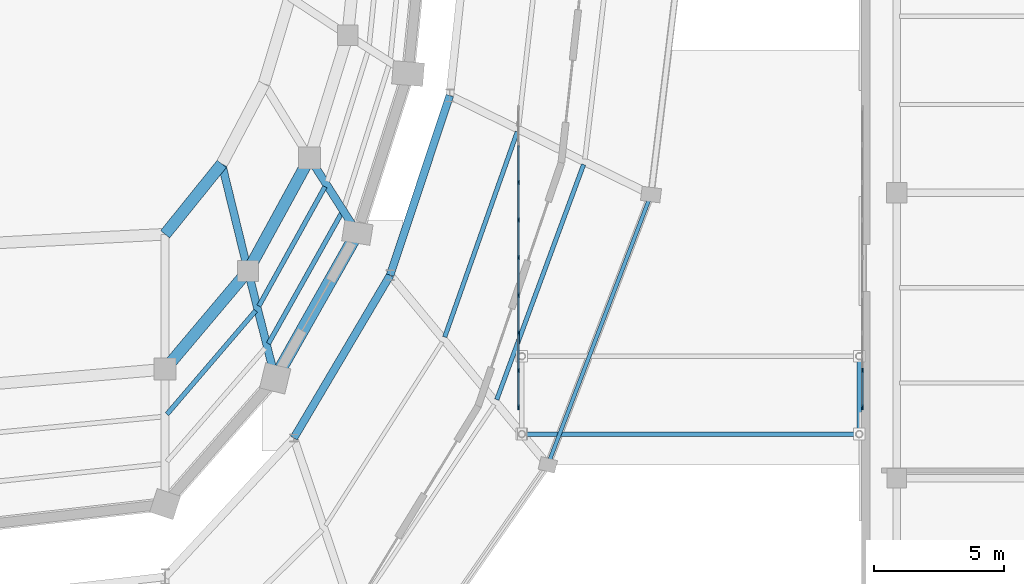
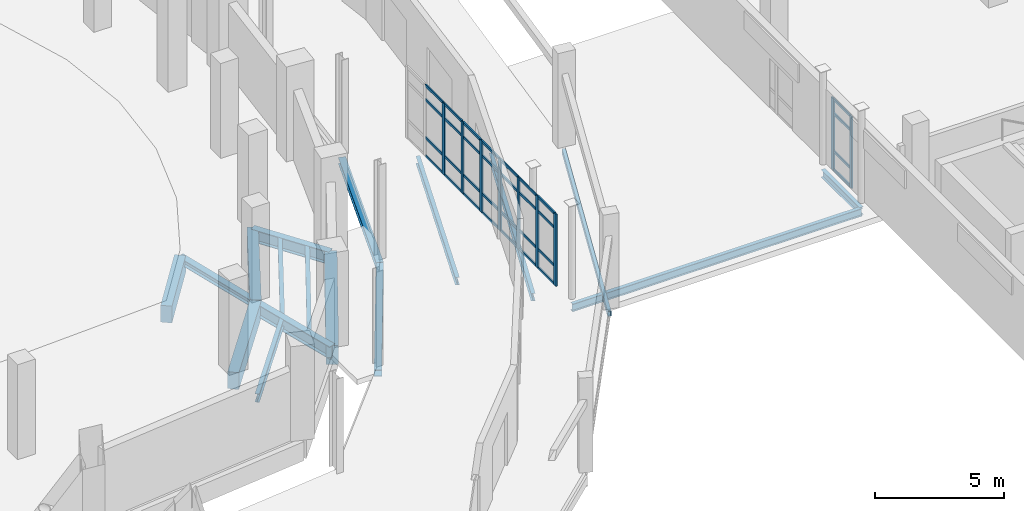
# One storey, part 68 of 122: 41 members, 17 beams, 2 elements without a shape of their own.
"""IFC4 building model written with IfcOpenShell, lengths in metres."""

from ifc_helpers import new_model, si_unit, direction, frame, origin, origin_2d, place, context, subcontext, project, spatial, rectangle, hollow_rectangle, i_section, extrude, material, layer, layer_set, material_profile, profile_set, type_object, element, aggregate, save


model = new_model("IFC4")

# Units and contexts
model_context = context("Model", 3, precision=1e-05, world=origin(), true_north=direction((0.0, 1.0)))
body_context = subcontext(model_context, "Body", "Model", "MODEL_VIEW")
ifc_project = project(units=[si_unit("LENGTHUNIT", "METRE"), si_unit("AREAUNIT", "SQUARE_METRE"), si_unit("VOLUMEUNIT", "CUBIC_METRE"), si_unit("PLANEANGLEUNIT", "RADIAN"), si_unit("MASSUNIT", "GRAM", prefix="KILO")], contexts=[model_context])

# Site, building, storey
site_placement = place(None, origin())
site = spatial("IfcSite", under=ifc_project, at=site_placement, CompositionType="ELEMENT")
building_placement = place(site_placement, origin())
building = spatial("IfcBuilding", under=site, at=building_placement, Name="Sohan Crest Arena", CompositionType="ELEMENT")
storey_placement = place(building_placement, origin())
storey = spatial("IfcBuildingStorey", under=building, at=storey_placement, Name="L00", CompositionType="ELEMENT", Elevation=0.0)

# Curtain wall, members
ifc_material_1 = material(Name="Thermally broken anodised aluminium", Category="aluminium")
ifc_layer = layer(ifc_material_1, 0.18994140625, Name="Thermally broken anodised aluminium")
ifc_layer_set = layer_set([ifc_layer], Name="Thermally broken anodised aluminium")
curtain_wall_type = type_object("IfcCurtainWallType", Name="ARC-CW05", PredefinedType="NOTDEFINED", material=ifc_layer_set)
curtain_wall_1_placement = place(storey_placement, origin())
curtain_wall_1 = element("IfcCurtainWall", 1, at=curtain_wall_1_placement, inside=storey, type_object=curtain_wall_type, Name="Unitised curtain wall CW-239", PredefinedType="NOTDEFINED")
ifc_material_profile_1 = material_profile(ifc_material_1, rectangle(XDim=0.06494140625, YDim=0.179931640625, at=origin_2d()), Name="ALU-MULL 65x180")
ifc_profile_set_1 = profile_set([ifc_material_profile_1], Name="Thermally broken anodised aluminium")
member_type_1 = type_object("IfcMemberType", Name="ARC-CW-ML02", PredefinedType="MULLION", material=ifc_profile_set_1)
member_1_placement = place(storey_placement, frame((181.6201171875, 58.732421875, 0.0), z_axis=(0.0, 0.0, 1.0), x_axis=(-1.0, 0.0, 0.0)))
member_1 = element("IfcMember", 2, at=member_1_placement, type_object=member_type_1, Name="CW-239 mullion 1", PredefinedType="MULLION", context=body_context, shape_type="SweptSolid", body=[
    extrude(rectangle(XDim=0.06494140625, YDim=0.179931640625, at=origin_2d()), origin(), (0.0, 0.0, 1.0), 3.39990234375),
])
member_2_placement = place(storey_placement, frame((181.6201171875, 60.14990234375, 0.0), z_axis=(0.0, 0.0, 1.0), x_axis=(-1.0, 0.0, 0.0)))
member_2 = element("IfcMember", 3, at=member_2_placement, type_object=member_type_1, Name="CW-239 mullion 2", PredefinedType="MULLION", context=body_context, shape_type="SweptSolid", body=[
    extrude(rectangle(XDim=0.06494140625, YDim=0.179931640625, at=origin_2d()), origin(), (0.0, 0.0, 1.0), 3.39990234375),
])
member_3_placement = place(storey_placement, frame((181.6201171875, 61.60009765625, 0.0), z_axis=(0.0, 0.0, 1.0), x_axis=(-1.0, 0.0, 0.0)))
member_3 = element("IfcMember", 4, at=member_3_placement, type_object=member_type_1, Name="CW-239 mullion 3", PredefinedType="MULLION", context=body_context, shape_type="SweptSolid", body=[
    extrude(rectangle(XDim=0.06494140625, YDim=0.179931640625, at=origin_2d()), origin(), (0.0, 0.0, 1.0), 3.39990234375),
])
member_4_placement = place(storey_placement, frame((181.6201171875, 63.050048828125, 0.0), z_axis=(0.0, 0.0, 1.0), x_axis=(-1.0, 0.0, 0.0)))
member_4 = element("IfcMember", 5, at=member_4_placement, type_object=member_type_1, Name="CW-239 mullion 4", PredefinedType="MULLION", context=body_context, shape_type="SweptSolid", body=[
    extrude(rectangle(XDim=0.06494140625, YDim=0.179931640625, at=origin_2d()), origin(), (0.0, 0.0, 1.0), 3.39990234375),
])
member_5_placement = place(storey_placement, frame((181.6201171875, 64.5, 0.0), z_axis=(0.0, 0.0, 1.0), x_axis=(-1.0, 0.0, 0.0)))
member_5 = element("IfcMember", 6, at=member_5_placement, type_object=member_type_1, Name="CW-239 mullion 5", PredefinedType="MULLION", context=body_context, shape_type="SweptSolid", body=[
    extrude(rectangle(XDim=0.06494140625, YDim=0.179931640625, at=origin_2d()), origin(), (0.0, 0.0, 1.0), 3.39990234375),
])
member_6_placement = place(storey_placement, frame((181.6201171875, 65.949951171875, 0.0), z_axis=(0.0, 0.0, 1.0), x_axis=(-1.0, 0.0, 0.0)))
member_6 = element("IfcMember", 7, at=member_6_placement, type_object=member_type_1, Name="CW-239 mullion 6", PredefinedType="MULLION", context=body_context, shape_type="SweptSolid", body=[
    extrude(rectangle(XDim=0.06494140625, YDim=0.179931640625, at=origin_2d()), origin(), (0.0, 0.0, 1.0), 3.39990234375),
])
member_7_placement = place(storey_placement, frame((181.6201171875, 67.39990234375, 0.0), z_axis=(0.0, 0.0, 1.0), x_axis=(-1.0, 0.0, 0.0)))
member_7 = element("IfcMember", 8, at=member_7_placement, type_object=member_type_1, Name="CW-239 mullion 7", PredefinedType="MULLION", context=body_context, shape_type="SweptSolid", body=[
    extrude(rectangle(XDim=0.06494140625, YDim=0.179931640625, at=origin_2d()), origin(), (0.0, 0.0, 1.0), 3.39990234375),
])

curtain_wall_2_placement = place(storey_placement, origin())
curtain_wall_2 = element("IfcCurtainWall", 9, at=curtain_wall_2_placement, inside=storey, type_object=curtain_wall_type, Name="Unitised curtain wall CW-240", PredefinedType="NOTDEFINED")
member_8_placement = place(storey_placement, frame((194.8798828125, 58.732421875, 0.0), z_axis=(0.0, 0.0, 1.0), x_axis=(-1.0, 0.0, 0.0)))
member_8 = element("IfcMember", 10, at=member_8_placement, type_object=member_type_1, Name="CW-240 mullion 1", PredefinedType="MULLION", context=body_context, shape_type="SweptSolid", body=[
    extrude(rectangle(XDim=0.06494140625, YDim=0.179931640625, at=origin_2d()), origin(), (0.0, 0.0, 1.0), 3.39990234375),
])
member_9_placement = place(storey_placement, frame((194.8798828125, 60.14990234375, 0.0), z_axis=(0.0, 0.0, 1.0), x_axis=(-1.0, 0.0, 0.0)))
member_9 = element("IfcMember", 11, at=member_9_placement, type_object=member_type_1, Name="CW-240 mullion 2", PredefinedType="MULLION", context=body_context, shape_type="SweptSolid", body=[
    extrude(rectangle(XDim=0.06494140625, YDim=0.179931640625, at=origin_2d()), origin(), (0.0, 0.0, 1.0), 3.39990234375),
])

# Member
ifc_material_profile_2 = material_profile(ifc_material_1, rectangle(XDim=0.06005859375, YDim=0.1201171875, at=origin_2d()), Name="ALU-TRAN 60x120")
ifc_profile_set_2 = profile_set([ifc_material_profile_2], Name="Thermally broken anodised aluminium")
member_type_2 = type_object("IfcMemberType", Name="ARC-CW-TR01", PredefinedType="USERDEFINED", material=ifc_profile_set_2)
member_10_placement = place(storey_placement, frame((181.6201171875, 58.764892578125, 0.030029296875), z_axis=(0.0, 1.0, 0.0), x_axis=(-1.0, 0.0, 0.0)))
member_10 = element("IfcMember", 12, at=member_10_placement, type_object=member_type_2, Name="CW-239 transom 1.1", ObjectType="TRANSOM", PredefinedType="USERDEFINED", context=body_context, shape_type="SweptSolid", body=[
    extrude(rectangle(XDim=0.06005859375, YDim=0.1201171875, at=origin_2d()), origin(), (0.0, 0.0, 1.0), 1.3525390625),
])

member_11_placement = place(storey_placement, frame((181.6201171875, 58.764892578125, 0.89990234375), z_axis=(0.0, 1.0, 0.0), x_axis=(-1.0, 0.0, 0.0)))
member_11 = element("IfcMember", 13, at=member_11_placement, type_object=member_type_2, Name="CW-239 transom 1.2", ObjectType="TRANSOM", PredefinedType="USERDEFINED", context=body_context, shape_type="SweptSolid", body=[
    extrude(rectangle(XDim=0.06005859375, YDim=0.1201171875, at=origin_2d()), origin(), (0.0, 0.0, 1.0), 1.3525390625),
])

member_12_placement = place(storey_placement, frame((181.6201171875, 58.764892578125, 2.699951171875), z_axis=(0.0, 1.0, 0.0), x_axis=(-1.0, 0.0, 0.0)))
member_12 = element("IfcMember", 14, at=member_12_placement, type_object=member_type_2, Name="CW-239 transom 1.3", ObjectType="TRANSOM", PredefinedType="USERDEFINED", context=body_context, shape_type="SweptSolid", body=[
    extrude(rectangle(XDim=0.06005859375, YDim=0.1201171875, at=origin_2d()), origin(), (0.0, 0.0, 1.0), 1.3525390625),
])

member_13_placement = place(storey_placement, frame((181.6201171875, 58.764892578125, 3.3701171875), z_axis=(0.0, 1.0, 0.0), x_axis=(-1.0, 0.0, 0.0)))
member_13 = element("IfcMember", 15, at=member_13_placement, type_object=member_type_2, Name="CW-239 transom 1.4", ObjectType="TRANSOM", PredefinedType="USERDEFINED", context=body_context, shape_type="SweptSolid", body=[
    extrude(rectangle(XDim=0.06005859375, YDim=0.1201171875, at=origin_2d()), origin(), (0.0, 0.0, 1.0), 1.3525390625),
])

member_14_placement = place(storey_placement, frame((181.6201171875, 60.1826171875, 0.030029296875), z_axis=(0.0, 1.0, 0.0), x_axis=(-1.0, 0.0, 0.0)))
member_14 = element("IfcMember", 16, at=member_14_placement, type_object=member_type_2, Name="CW-239 transom 2.1", ObjectType="TRANSOM", PredefinedType="USERDEFINED", context=body_context, shape_type="SweptSolid", body=[
    extrude(rectangle(XDim=0.06005859375, YDim=0.1201171875, at=origin_2d()), origin(), (0.0, 0.0, 1.0), 1.384765625),
])

member_15_placement = place(storey_placement, frame((181.6201171875, 60.1826171875, 0.89990234375), z_axis=(0.0, 1.0, 0.0), x_axis=(-1.0, 0.0, 0.0)))
member_15 = element("IfcMember", 17, at=member_15_placement, type_object=member_type_2, Name="CW-239 transom 2.2", ObjectType="TRANSOM", PredefinedType="USERDEFINED", context=body_context, shape_type="SweptSolid", body=[
    extrude(rectangle(XDim=0.06005859375, YDim=0.1201171875, at=origin_2d()), origin(), (0.0, 0.0, 1.0), 1.384765625),
])

member_16_placement = place(storey_placement, frame((181.6201171875, 60.1826171875, 2.699951171875), z_axis=(0.0, 1.0, 0.0), x_axis=(-1.0, 0.0, 0.0)))
member_16 = element("IfcMember", 18, at=member_16_placement, type_object=member_type_2, Name="CW-239 transom 2.3", ObjectType="TRANSOM", PredefinedType="USERDEFINED", context=body_context, shape_type="SweptSolid", body=[
    extrude(rectangle(XDim=0.06005859375, YDim=0.1201171875, at=origin_2d()), origin(), (0.0, 0.0, 1.0), 1.384765625),
])

member_17_placement = place(storey_placement, frame((181.6201171875, 60.1826171875, 3.3701171875), z_axis=(0.0, 1.0, 0.0), x_axis=(-1.0, 0.0, 0.0)))
member_17 = element("IfcMember", 19, at=member_17_placement, type_object=member_type_2, Name="CW-239 transom 2.4", ObjectType="TRANSOM", PredefinedType="USERDEFINED", context=body_context, shape_type="SweptSolid", body=[
    extrude(rectangle(XDim=0.06005859375, YDim=0.1201171875, at=origin_2d()), origin(), (0.0, 0.0, 1.0), 1.384765625),
])

member_18_placement = place(storey_placement, frame((181.6201171875, 61.632568359375, 0.030029296875), z_axis=(0.0, 1.0, 0.0), x_axis=(-1.0, 0.0, 0.0)))
member_18 = element("IfcMember", 20, at=member_18_placement, type_object=member_type_2, Name="CW-239 transom 3.1", ObjectType="TRANSOM", PredefinedType="USERDEFINED", context=body_context, shape_type="SweptSolid", body=[
    extrude(rectangle(XDim=0.06005859375, YDim=0.1201171875, at=origin_2d()), origin(), (0.0, 0.0, 1.0), 1.385009765625),
])

member_19_placement = place(storey_placement, frame((181.6201171875, 61.632568359375, 0.89990234375), z_axis=(0.0, 1.0, 0.0), x_axis=(-1.0, 0.0, 0.0)))
member_19 = element("IfcMember", 21, at=member_19_placement, type_object=member_type_2, Name="CW-239 transom 3.2", ObjectType="TRANSOM", PredefinedType="USERDEFINED", context=body_context, shape_type="SweptSolid", body=[
    extrude(rectangle(XDim=0.06005859375, YDim=0.1201171875, at=origin_2d()), origin(), (0.0, 0.0, 1.0), 1.385009765625),
])

member_20_placement = place(storey_placement, frame((181.6201171875, 61.632568359375, 2.699951171875), z_axis=(0.0, 1.0, 0.0), x_axis=(-1.0, 0.0, 0.0)))
member_20 = element("IfcMember", 22, at=member_20_placement, type_object=member_type_2, Name="CW-239 transom 3.3", ObjectType="TRANSOM", PredefinedType="USERDEFINED", context=body_context, shape_type="SweptSolid", body=[
    extrude(rectangle(XDim=0.06005859375, YDim=0.1201171875, at=origin_2d()), origin(), (0.0, 0.0, 1.0), 1.385009765625),
])

member_21_placement = place(storey_placement, frame((181.6201171875, 61.632568359375, 3.3701171875), z_axis=(0.0, 1.0, 0.0), x_axis=(-1.0, 0.0, 0.0)))
member_21 = element("IfcMember", 23, at=member_21_placement, type_object=member_type_2, Name="CW-239 transom 3.4", ObjectType="TRANSOM", PredefinedType="USERDEFINED", context=body_context, shape_type="SweptSolid", body=[
    extrude(rectangle(XDim=0.06005859375, YDim=0.1201171875, at=origin_2d()), origin(), (0.0, 0.0, 1.0), 1.385009765625),
])

member_22_placement = place(storey_placement, frame((181.6201171875, 63.08251953125, 0.030029296875), z_axis=(0.0, 1.0, 0.0), x_axis=(-1.0, 0.0, 0.0)))
member_22 = element("IfcMember", 24, at=member_22_placement, type_object=member_type_2, Name="CW-239 transom 4.1", ObjectType="TRANSOM", PredefinedType="USERDEFINED", context=body_context, shape_type="SweptSolid", body=[
    extrude(rectangle(XDim=0.06005859375, YDim=0.1201171875, at=origin_2d()), origin(), (0.0, 0.0, 1.0), 1.385009765625),
])

member_23_placement = place(storey_placement, frame((181.6201171875, 63.08251953125, 0.89990234375), z_axis=(0.0, 1.0, 0.0), x_axis=(-1.0, 0.0, 0.0)))
member_23 = element("IfcMember", 25, at=member_23_placement, type_object=member_type_2, Name="CW-239 transom 4.2", ObjectType="TRANSOM", PredefinedType="USERDEFINED", context=body_context, shape_type="SweptSolid", body=[
    extrude(rectangle(XDim=0.06005859375, YDim=0.1201171875, at=origin_2d()), origin(), (0.0, 0.0, 1.0), 1.385009765625),
])

member_24_placement = place(storey_placement, frame((181.6201171875, 63.08251953125, 2.699951171875), z_axis=(0.0, 1.0, 0.0), x_axis=(-1.0, 0.0, 0.0)))
member_24 = element("IfcMember", 26, at=member_24_placement, type_object=member_type_2, Name="CW-239 transom 4.3", ObjectType="TRANSOM", PredefinedType="USERDEFINED", context=body_context, shape_type="SweptSolid", body=[
    extrude(rectangle(XDim=0.06005859375, YDim=0.1201171875, at=origin_2d()), origin(), (0.0, 0.0, 1.0), 1.385009765625),
])

member_25_placement = place(storey_placement, frame((181.6201171875, 63.08251953125, 3.3701171875), z_axis=(0.0, 1.0, 0.0), x_axis=(-1.0, 0.0, 0.0)))
member_25 = element("IfcMember", 27, at=member_25_placement, type_object=member_type_2, Name="CW-239 transom 4.4", ObjectType="TRANSOM", PredefinedType="USERDEFINED", context=body_context, shape_type="SweptSolid", body=[
    extrude(rectangle(XDim=0.06005859375, YDim=0.1201171875, at=origin_2d()), origin(), (0.0, 0.0, 1.0), 1.385009765625),
])

member_26_placement = place(storey_placement, frame((181.6201171875, 64.532470703125, 0.030029296875), z_axis=(0.0, 1.0, 0.0), x_axis=(-1.0, 0.0, 0.0)))
member_26 = element("IfcMember", 28, at=member_26_placement, type_object=member_type_2, Name="CW-239 transom 5.1", ObjectType="TRANSOM", PredefinedType="USERDEFINED", context=body_context, shape_type="SweptSolid", body=[
    extrude(rectangle(XDim=0.06005859375, YDim=0.1201171875, at=origin_2d()), origin(), (0.0, 0.0, 1.0), 1.385009765625),
])

member_27_placement = place(storey_placement, frame((181.6201171875, 64.532470703125, 0.89990234375), z_axis=(0.0, 1.0, 0.0), x_axis=(-1.0, 0.0, 0.0)))
member_27 = element("IfcMember", 29, at=member_27_placement, type_object=member_type_2, Name="CW-239 transom 5.2", ObjectType="TRANSOM", PredefinedType="USERDEFINED", context=body_context, shape_type="SweptSolid", body=[
    extrude(rectangle(XDim=0.06005859375, YDim=0.1201171875, at=origin_2d()), origin(), (0.0, 0.0, 1.0), 1.385009765625),
])

member_28_placement = place(storey_placement, frame((181.6201171875, 64.532470703125, 2.699951171875), z_axis=(0.0, 1.0, 0.0), x_axis=(-1.0, 0.0, 0.0)))
member_28 = element("IfcMember", 30, at=member_28_placement, type_object=member_type_2, Name="CW-239 transom 5.3", ObjectType="TRANSOM", PredefinedType="USERDEFINED", context=body_context, shape_type="SweptSolid", body=[
    extrude(rectangle(XDim=0.06005859375, YDim=0.1201171875, at=origin_2d()), origin(), (0.0, 0.0, 1.0), 1.385009765625),
])

member_29_placement = place(storey_placement, frame((181.6201171875, 64.532470703125, 3.3701171875), z_axis=(0.0, 1.0, 0.0), x_axis=(-1.0, 0.0, 0.0)))
member_29 = element("IfcMember", 31, at=member_29_placement, type_object=member_type_2, Name="CW-239 transom 5.4", ObjectType="TRANSOM", PredefinedType="USERDEFINED", context=body_context, shape_type="SweptSolid", body=[
    extrude(rectangle(XDim=0.06005859375, YDim=0.1201171875, at=origin_2d()), origin(), (0.0, 0.0, 1.0), 1.385009765625),
])

member_30_placement = place(storey_placement, frame((181.6201171875, 65.982421875, 0.030029296875), z_axis=(0.0, 1.0, 0.0), x_axis=(-1.0, 0.0, 0.0)))
member_30 = element("IfcMember", 32, at=member_30_placement, type_object=member_type_2, Name="CW-239 transom 6.1", ObjectType="TRANSOM", PredefinedType="USERDEFINED", context=body_context, shape_type="SweptSolid", body=[
    extrude(rectangle(XDim=0.06005859375, YDim=0.1201171875, at=origin_2d()), origin(), (0.0, 0.0, 1.0), 1.385009765625),
])

member_31_placement = place(storey_placement, frame((181.6201171875, 65.982421875, 0.89990234375), z_axis=(0.0, 1.0, 0.0), x_axis=(-1.0, 0.0, 0.0)))
member_31 = element("IfcMember", 33, at=member_31_placement, type_object=member_type_2, Name="CW-239 transom 6.2", ObjectType="TRANSOM", PredefinedType="USERDEFINED", context=body_context, shape_type="SweptSolid", body=[
    extrude(rectangle(XDim=0.06005859375, YDim=0.1201171875, at=origin_2d()), origin(), (0.0, 0.0, 1.0), 1.385009765625),
])

member_32_placement = place(storey_placement, frame((181.6201171875, 65.982421875, 2.699951171875), z_axis=(0.0, 1.0, 0.0), x_axis=(-1.0, 0.0, 0.0)))
member_32 = element("IfcMember", 34, at=member_32_placement, type_object=member_type_2, Name="CW-239 transom 6.3", ObjectType="TRANSOM", PredefinedType="USERDEFINED", context=body_context, shape_type="SweptSolid", body=[
    extrude(rectangle(XDim=0.06005859375, YDim=0.1201171875, at=origin_2d()), origin(), (0.0, 0.0, 1.0), 1.385009765625),
])

member_33_placement = place(storey_placement, frame((181.6201171875, 65.982421875, 3.3701171875), z_axis=(0.0, 1.0, 0.0), x_axis=(-1.0, 0.0, 0.0)))
member_33 = element("IfcMember", 35, at=member_33_placement, type_object=member_type_2, Name="CW-239 transom 6.4", ObjectType="TRANSOM", PredefinedType="USERDEFINED", context=body_context, shape_type="SweptSolid", body=[
    extrude(rectangle(XDim=0.06005859375, YDim=0.1201171875, at=origin_2d()), origin(), (0.0, 0.0, 1.0), 1.385009765625),
])

member_34_placement = place(storey_placement, frame((181.6201171875, 67.4326171875, 0.030029296875), z_axis=(0.0, 1.0, 0.0), x_axis=(-1.0, 0.0, 0.0)))
member_34 = element("IfcMember", 36, at=member_34_placement, type_object=member_type_2, Name="CW-239 transom 7.1", ObjectType="TRANSOM", PredefinedType="USERDEFINED", context=body_context, shape_type="SweptSolid", body=[
    extrude(rectangle(XDim=0.06005859375, YDim=0.1201171875, at=origin_2d()), origin(), (0.0, 0.0, 1.0), 1.384765625),
])

member_35_placement = place(storey_placement, frame((181.6201171875, 67.4326171875, 0.89990234375), z_axis=(0.0, 1.0, 0.0), x_axis=(-1.0, 0.0, 0.0)))
member_35 = element("IfcMember", 37, at=member_35_placement, type_object=member_type_2, Name="CW-239 transom 7.2", ObjectType="TRANSOM", PredefinedType="USERDEFINED", context=body_context, shape_type="SweptSolid", body=[
    extrude(rectangle(XDim=0.06005859375, YDim=0.1201171875, at=origin_2d()), origin(), (0.0, 0.0, 1.0), 1.384765625),
])

member_36_placement = place(storey_placement, frame((181.6201171875, 67.4326171875, 2.699951171875), z_axis=(0.0, 1.0, 0.0), x_axis=(-1.0, 0.0, 0.0)))
member_36 = element("IfcMember", 38, at=member_36_placement, type_object=member_type_2, Name="CW-239 transom 7.3", ObjectType="TRANSOM", PredefinedType="USERDEFINED", context=body_context, shape_type="SweptSolid", body=[
    extrude(rectangle(XDim=0.06005859375, YDim=0.1201171875, at=origin_2d()), origin(), (0.0, 0.0, 1.0), 1.384765625),
])

member_37_placement = place(storey_placement, frame((181.6201171875, 67.4326171875, 3.3701171875), z_axis=(0.0, 1.0, 0.0), x_axis=(-1.0, 0.0, 0.0)))
member_37 = element("IfcMember", 39, at=member_37_placement, type_object=member_type_2, Name="CW-239 transom 7.4", ObjectType="TRANSOM", PredefinedType="USERDEFINED", context=body_context, shape_type="SweptSolid", body=[
    extrude(rectangle(XDim=0.06005859375, YDim=0.1201171875, at=origin_2d()), origin(), (0.0, 0.0, 1.0), 1.384765625),
])

aggregate(curtain_wall_1, [member_1, member_2, member_3, member_4, member_5, member_6, member_7, member_10, member_11, member_12, member_13, member_14, member_15, member_16, member_17, member_18, member_19, member_20, member_21, member_22, member_23, member_24, member_25, member_26, member_27, member_28, member_29, member_30, member_31, member_32, member_33, member_34, member_35, member_36, member_37])

member_38_placement = place(storey_placement, frame((194.8798828125, 58.764892578125, 0.030029296875), z_axis=(0.0, 1.0, 0.0), x_axis=(-1.0, 0.0, 0.0)))
member_38 = element("IfcMember", 40, at=member_38_placement, type_object=member_type_2, Name="CW-240 transom 1.1", ObjectType="TRANSOM", PredefinedType="USERDEFINED", context=body_context, shape_type="SweptSolid", body=[
    extrude(rectangle(XDim=0.06005859375, YDim=0.1201171875, at=origin_2d()), origin(), (0.0, 0.0, 1.0), 1.3525390625),
])

member_39_placement = place(storey_placement, frame((194.8798828125, 58.764892578125, 0.89990234375), z_axis=(0.0, 1.0, 0.0), x_axis=(-1.0, 0.0, 0.0)))
member_39 = element("IfcMember", 41, at=member_39_placement, type_object=member_type_2, Name="CW-240 transom 1.2", ObjectType="TRANSOM", PredefinedType="USERDEFINED", context=body_context, shape_type="SweptSolid", body=[
    extrude(rectangle(XDim=0.06005859375, YDim=0.1201171875, at=origin_2d()), origin(), (0.0, 0.0, 1.0), 1.3525390625),
])

member_40_placement = place(storey_placement, frame((194.8798828125, 58.764892578125, 2.699951171875), z_axis=(0.0, 1.0, 0.0), x_axis=(-1.0, 0.0, 0.0)))
member_40 = element("IfcMember", 42, at=member_40_placement, type_object=member_type_2, Name="CW-240 transom 1.3", ObjectType="TRANSOM", PredefinedType="USERDEFINED", context=body_context, shape_type="SweptSolid", body=[
    extrude(rectangle(XDim=0.06005859375, YDim=0.1201171875, at=origin_2d()), origin(), (0.0, 0.0, 1.0), 1.3525390625),
])

member_41_placement = place(storey_placement, frame((194.8798828125, 58.764892578125, 3.3701171875), z_axis=(0.0, 1.0, 0.0), x_axis=(-1.0, 0.0, 0.0)))
member_41 = element("IfcMember", 43, at=member_41_placement, type_object=member_type_2, Name="CW-240 transom 1.4", ObjectType="TRANSOM", PredefinedType="USERDEFINED", context=body_context, shape_type="SweptSolid", body=[
    extrude(rectangle(XDim=0.06005859375, YDim=0.1201171875, at=origin_2d()), origin(), (0.0, 0.0, 1.0), 1.3525390625),
])

aggregate(curtain_wall_2, [member_8, member_9, member_38, member_39, member_40, member_41])

# Beams
ifc_material_2 = material(Name="Steel S355", Category="steel")
ifc_material_profile_3 = material_profile(ifc_material_2, i_section(OverallWidth=0.169921875, OverallDepth=0.360107421875, WebThickness=0.008056640625, FlangeThickness=0.0126953125, at=origin_2d()), Name="IPE 360")
ifc_profile_set_3 = profile_set([ifc_material_profile_3], Name="Steel S355")
beam_type_1 = type_object("IfcBeamType", Name="STR-BM-B02", PredefinedType="JOIST", material=ifc_profile_set_3)
beam_1_placement = place(storey_placement, frame((178.77587890625, 61.44189453125, -0.455078125), z_axis=(0.333403454645, 0.942784247021, 0.0), x_axis=(-0.942784247021, 0.333403454645, 0.0)))
element("IfcBeam", 44, at=beam_1_placement, inside=storey, type_object=beam_type_1, Name="Structural beam J-L00-1018", PredefinedType="JOIST", context=body_context, shape_type="SweptSolid", body=[
    extrude(i_section(OverallWidth=0.169921875, OverallDepth=0.360107421875, WebThickness=0.008056640625, FlangeThickness=0.0126953125, at=origin_2d()), origin(), (0.0, 0.0, 1.0), 8.3837890625),
])
beam_2_placement = place(storey_placement, frame((180.781982421875, 59.028076171875, -0.455078125), z_axis=(0.346567455642, 0.938025052272, 0.0), x_axis=(-0.938025052272, 0.346567455642, 0.0)))
element("IfcBeam", 45, at=beam_2_placement, inside=storey, type_object=beam_type_1, Name="Structural beam J-L00-1019", PredefinedType="JOIST", context=body_context, shape_type="SweptSolid", body=[
    extrude(i_section(OverallWidth=0.169921875, OverallDepth=0.360107421875, WebThickness=0.008056640625, FlangeThickness=0.0126953125, at=origin_2d()), origin(), (0.0, 0.0, 1.0), 9.657470703125),
])
beam_3_placement = place(storey_placement, frame((194.75, 57.699951171875, -0.455078125), z_axis=(0.0, 1.0, 0.0), x_axis=(-1.0, 0.0, 0.0)))
element("IfcBeam", 46, at=beam_3_placement, inside=storey, type_object=beam_type_1, Name="Structural beam BG-L00-2961", PredefinedType="JOIST", context=body_context, shape_type="SweptSolid", body=[
    extrude(i_section(OverallWidth=0.169921875, OverallDepth=0.360107421875, WebThickness=0.008056640625, FlangeThickness=0.0126953125, at=origin_2d()), origin(), (0.0, 0.0, 1.0), 3.0),
])
beam_4_placement = place(storey_placement, frame((181.75, 57.699951171875, -0.455078125), z_axis=(1.0, 0.0, 0.0), x_axis=(0.0, 1.0, 0.0)))
element("IfcBeam", 47, at=beam_4_placement, inside=storey, type_object=beam_type_1, Name="Structural beam BG-L00-2962", PredefinedType="JOIST", context=body_context, shape_type="SweptSolid", body=[
    extrude(i_section(OverallWidth=0.169921875, OverallDepth=0.360107421875, WebThickness=0.008056640625, FlangeThickness=0.0126953125, at=origin_2d()), origin(), (0.0, 0.0, 1.0), 13.0),
])
ifc_material_profile_4 = material_profile(ifc_material_2, i_section(OverallWidth=0.179931640625, OverallDepth=0.39990234375, WebThickness=0.008544921875, FlangeThickness=0.013427734375, at=origin_2d()), Name="IPE 400")
ifc_profile_set_4 = profile_set([ifc_material_profile_4], Name="Steel S355")
beam_type_2 = type_object("IfcBeamType", Name="STR-BM-B03", PredefinedType="JOIST", material=ifc_profile_set_4)
beam_5_placement = place(storey_placement, frame((168.072021484375, 58.464111328125, -0.449951171875), z_axis=(0.65046216093, 0.759538660766, 0.0), x_axis=(-0.759538660766, 0.65046216093, 0.0)))
element("IfcBeam", 48, at=beam_5_placement, inside=storey, type_object=beam_type_2, Name="Structural beam J-L00-0480", PredefinedType="JOIST", context=body_context, shape_type="SweptSolid", body=[
    extrude(i_section(OverallWidth=0.179931640625, OverallDepth=0.39990234375, WebThickness=0.008544921875, FlangeThickness=0.013427734375, at=origin_2d()), origin(), (0.0, 0.0, 1.0), 5.253173828125),
])
beam_6_placement = place(storey_placement, frame((171.614013671875, 62.634033203125, -0.449951171875), z_axis=(0.484550137215, 0.874763490622, 0.0), x_axis=(-0.874763490622, 0.484550137215, 0.0)))
element("IfcBeam", 49, at=beam_6_placement, inside=storey, type_object=beam_type_2, Name="Structural beam J-L00-0502", PredefinedType="JOIST", context=body_context, shape_type="SweptSolid", body=[
    extrude(i_section(OverallWidth=0.179931640625, OverallDepth=0.39990234375, WebThickness=0.008544921875, FlangeThickness=0.013427734375, at=origin_2d()), origin(), (0.0, 0.0, 1.0), 5.256103515625),
])
beam_7_placement = place(storey_placement, frame((171.98193359375, 61.18505859375, -0.449951171875), z_axis=(0.488712798321, 0.872444726477, 0.0), x_axis=(-0.872444726477, 0.488712798321, 0.0)))
element("IfcBeam", 50, at=beam_7_placement, inside=storey, type_object=beam_type_2, Name="Structural beam J-L00-0503", PredefinedType="JOIST", context=body_context, shape_type="SweptSolid", body=[
    extrude(i_section(OverallWidth=0.179931640625, OverallDepth=0.39990234375, WebThickness=0.008544921875, FlangeThickness=0.013427734375, at=origin_2d()), origin(), (0.0, 0.0, 1.0), 5.7744140625),
])
ifc_material_profile_5 = material_profile(ifc_material_2, i_section(OverallWidth=0.300048828125, OverallDepth=0.590087890625, WebThickness=0.012939453125, FlangeThickness=0.02490234375, at=origin_2d()), Name="HEA 600")
ifc_profile_set_5 = profile_set([ifc_material_profile_5], Name="Steel S355")
beam_type_3 = type_object("IfcBeamType", Name="STR-BM-B11", PredefinedType="BEAM", material=ifc_profile_set_5)
beam_8_placement = place(storey_placement, frame((171.194091796875, 63.988037109375, -0.544921875), z_axis=(0.245465367753, -0.969405360638, 0.0), x_axis=(0.969405360638, 0.245465367753, 0.0)))
element("IfcBeam", 51, at=beam_8_placement, inside=storey, type_object=beam_type_3, Name="Structural beam G-L00-0501", PredefinedType="BEAM", context=body_context, shape_type="SweptSolid", body=[
    extrude(i_section(OverallWidth=0.300048828125, OverallDepth=0.590087890625, WebThickness=0.012939453125, FlangeThickness=0.02490234375, at=origin_2d()), origin(), (0.0, 0.0, 1.0), 4.272705078125),
])
beam_9_placement = place(storey_placement, frame((173.571044921875, 68.3359375, -0.544921875), z_axis=(0.537836706891, -0.843049035775, 0.0), x_axis=(0.843049035775, 0.537836706891, 0.0)))
element("IfcBeam", 52, at=beam_9_placement, inside=storey, type_object=beam_type_3, Name="Structural beam G-L00-0524", PredefinedType="BEAM", context=body_context, shape_type="SweptSolid", body=[
    extrude(i_section(OverallWidth=0.300048828125, OverallDepth=0.590087890625, WebThickness=0.012939453125, FlangeThickness=0.02490234375, at=origin_2d()), origin(), (0.0, 0.0, 1.0), 3.417236328125),
])
ifc_material_profile_6 = material_profile(ifc_material_2, i_section(OverallWidth=0.300048828125, OverallDepth=0.300048828125, WebThickness=0.010986328125, FlangeThickness=0.01904296875, at=origin_2d()), Name="HEB 300")
ifc_profile_set_6 = profile_set([ifc_material_profile_6], Name="Steel S355")
beam_type_4 = type_object("IfcBeamType", Name="STR-BM-B12", PredefinedType="BEAM", material=ifc_profile_set_6)
beam_10_placement = place(storey_placement, frame((170.18603515625, 68.112060546875, -0.39990234375), z_axis=(0.237444649382, -0.971401069837, 0.0), x_axis=(0.971401069837, 0.237444649382, 0.0)))
element("IfcBeam", 53, at=beam_10_placement, inside=storey, type_object=beam_type_4, Name="Structural beam G-L00-0498", PredefinedType="BEAM", context=body_context, shape_type="SweptSolid", body=[
    extrude(i_section(OverallWidth=0.300048828125, OverallDepth=0.300048828125, WebThickness=0.010986328125, FlangeThickness=0.01904296875, at=origin_2d()), origin(), (0.0, 0.0, 1.0), 4.245361328125),
])
beam_11_placement = place(storey_placement, frame((172.9609375, 57.547119140625, -0.425048828125), z_axis=(0.509085626747, 0.860715879161, 0.0), x_axis=(-0.860715879161, 0.509085626747, 0.0)))
element("IfcBeam", 54, at=beam_11_placement, inside=storey, type_object=beam_type_4, Name="Structural beam G-L00-1009", PredefinedType="BEAM", context=body_context, shape_type="SweptSolid", body=[
    extrude(i_section(OverallWidth=0.300048828125, OverallDepth=0.300048828125, WebThickness=0.010986328125, FlangeThickness=0.01904296875, at=origin_2d()), origin(), (0.0, 0.0, 1.0), 7.293701171875),
])
beam_12_placement = place(storey_placement, frame((176.674072265625, 63.824951171875, -0.425048828125), z_axis=(0.315012572955, 0.949087498011, 0.0), x_axis=(-0.949087498011, 0.315012572955, 0.0)))
element("IfcBeam", 55, at=beam_12_placement, inside=storey, type_object=beam_type_4, Name="Structural beam G-L00-1015", PredefinedType="BEAM", context=body_context, shape_type="SweptSolid", body=[
    extrude(i_section(OverallWidth=0.300048828125, OverallDepth=0.300048828125, WebThickness=0.010986328125, FlangeThickness=0.01904296875, at=origin_2d()), origin(), (0.0, 0.0, 1.0), 7.29443359375),
])
ifc_material_profile_7 = material_profile(ifc_material_2, hollow_rectangle(XDim=0.14990234375, YDim=0.25, WallThickness=0.010009765625, at=origin_2d()), Name="RHS 250x150x10")
ifc_profile_set_7 = profile_set([ifc_material_profile_7], Name="Steel S355")
beam_type_5 = type_object("IfcBeamType", Name="STR-BM-SP02", PredefinedType="SPANDREL", material=ifc_profile_set_7)
beam_13_placement = place(storey_placement, frame((182.7490234375, 56.510986328125, -0.39990234375), z_axis=(0.356539672716, 0.934280183767, 0.0), x_axis=(-0.934280183767, 0.356539672716, 0.0)))
element("IfcBeam", 56, at=beam_13_placement, inside=storey, type_object=beam_type_5, Name="Structural beam SP-L00-1016", PredefinedType="SPANDREL", context=body_context, shape_type="SweptSolid", body=[
    extrude(hollow_rectangle(XDim=0.14990234375, YDim=0.25, WallThickness=0.010009765625, at=origin_2d()), origin(), (0.0, 0.0, 1.0), 11.15185546875),
])
ifc_material_3 = material(Name="Concrete C40/50", Category="concrete")
ifc_material_profile_8 = material_profile(ifc_material_3, rectangle(XDim=0.449951171875, YDim=0.800048828125, at=origin_2d()), Name="RC-BM 450x800")
ifc_profile_set_8 = profile_set([ifc_material_profile_8], Name="Concrete C40/50")
beam_type_6 = type_object("IfcBeamType", Name="STR-BM-TB02", PredefinedType="BEAM", material=ifc_profile_set_8)
beam_14_placement = place(storey_placement, frame((168.0, 65.39990234375, -0.64990234375), z_axis=(0.62754557516, 0.778579829624, 0.0), x_axis=(-0.778579829624, 0.62754557516, 0.0)))
element("IfcBeam", 57, at=beam_14_placement, inside=storey, type_object=beam_type_6, Name="Structural beam TB-L00-0475", PredefinedType="BEAM", context=body_context, shape_type="SweptSolid", body=[
    extrude(rectangle(XDim=0.449951171875, YDim=0.800048828125, at=origin_2d()), origin(), (0.0, 0.0, 1.0), 3.4833984375),
])
beam_15_placement = place(storey_placement, frame((168.0, 60.199951171875, -0.64990234375), z_axis=(0.644622663131, 0.764500897435, 0.0), x_axis=(-0.764500897435, 0.644622663131, 0.0)))
element("IfcBeam", 58, at=beam_15_placement, inside=storey, type_object=beam_type_6, Name="Structural beam TB-L00-0477", PredefinedType="BEAM", context=body_context, shape_type="SweptSolid", body=[
    extrude(rectangle(XDim=0.449951171875, YDim=0.800048828125, at=origin_2d()), origin(), (0.0, 0.0, 1.0), 4.955078125),
])
beam_16_placement = place(storey_placement, frame((171.194091796875, 63.988037109375, -0.64990234375), z_axis=(0.479687297687, 0.877439511555, 0.0), x_axis=(-0.877439511555, 0.479687297687, 0.0)))
element("IfcBeam", 59, at=beam_16_placement, inside=storey, type_object=beam_type_6, Name="Structural beam TB-L00-0499", PredefinedType="BEAM", context=body_context, shape_type="SweptSolid", body=[
    extrude(rectangle(XDim=0.449951171875, YDim=0.800048828125, at=origin_2d()), origin(), (0.0, 0.0, 1.0), 4.955322265625),
])
ifc_material_profile_9 = material_profile(ifc_material_3, rectangle(XDim=0.5, YDim=0.89990234375, at=origin_2d()), Name="RC-BM 500x900")
ifc_profile_set_9 = profile_set([ifc_material_profile_9], Name="Concrete C40/50")
beam_type_7 = type_object("IfcBeamType", Name="STR-BM-TB03", PredefinedType="BEAM", material=ifc_profile_set_9)
beam_17_placement = place(storey_placement, frame((172.242919921875, 59.845947265625, -0.699951171875), z_axis=(0.491543833039, 0.870852834985, 0.0), x_axis=(-0.870852834985, 0.491543833039, 0.0)))
element("IfcBeam", 60, at=beam_17_placement, inside=storey, type_object=beam_type_7, Name="Structural beam TB-L00-0500", PredefinedType="BEAM", context=body_context, shape_type="SweptSolid", body=[
    extrude(rectangle(XDim=0.5, YDim=0.89990234375, at=origin_2d()), origin(), (0.0, 0.0, 1.0), 6.44091796875),
])

save(model, "model.ifc")
